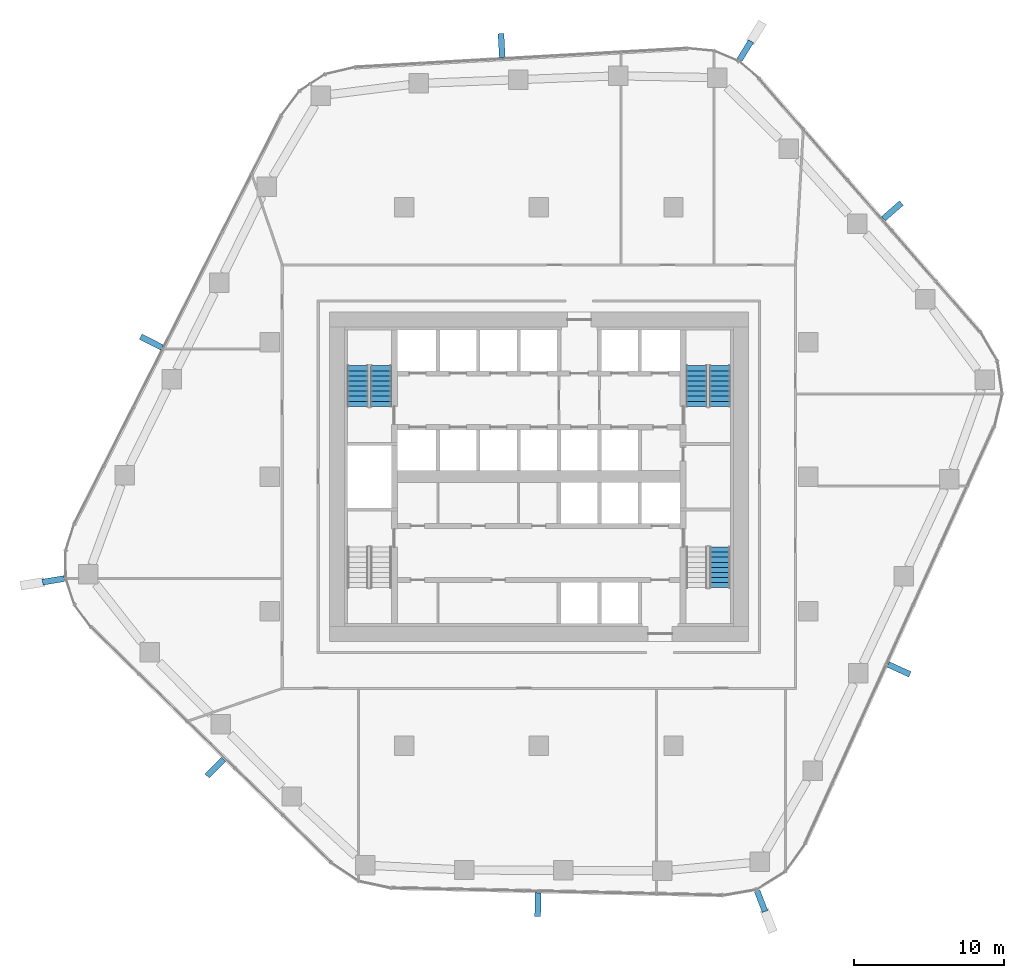
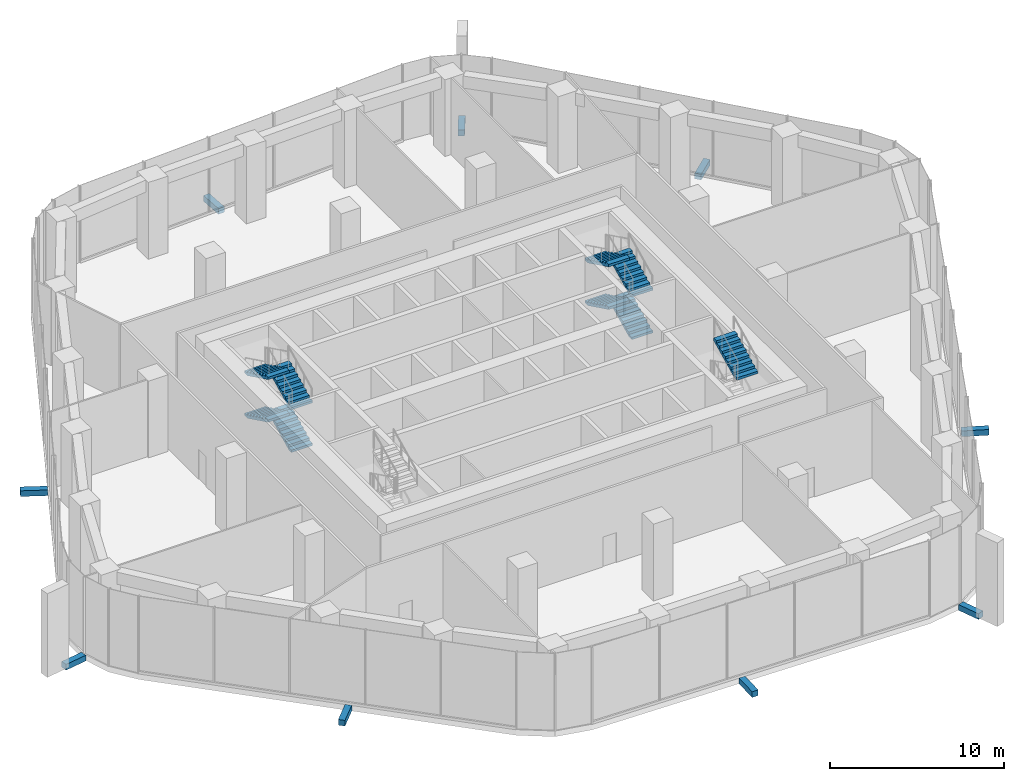
# One storey, part 14 of 18: 9 discrete accessories, 9 stair flights, 3 elements without a shape of their own.
"""IFC4 building model written with IfcOpenShell, lengths in metres."""

import ifcopenshell
import ifcopenshell.guid

model = None  # the IFC model being written
_history = None  # IfcOwnerHistory: only IFC2X3 demands one
_inside = {}  # id of a spatial element -> (the spatial element, [elements in it])
_under = {}  # id of a project, library or spatial element -> (it, [spatial elements below it])
_declared = {}  # id of a project -> (the project, [libraries it declares])
_typed = {}  # id of a type object -> (the type object, [elements of that type])
_made_of = {}  # id of a material, layer set ... -> (it, [elements and type objects made of it])


def new_model(schema):
    """Start an empty IFC model of exactly this schema.

    Asked for "IFC4X3", IfcOpenShell would pick the latest addendum, in which some entities
    have other attributes; the version numbers below select the first issue.
    IFC2X3 requires an IfcOwnerHistory on every rooted entity: one is made here for all.
    """
    global model, _history
    if schema == "IFC4X3":
        model = ifcopenshell.file(schema_version=(4, 3, 0, 0))
    else:
        model = ifcopenshell.file(schema=schema)
    _inside.clear()
    _under.clear()
    _declared.clear()
    _typed.clear()
    _made_of.clear()
    _history = None
    if model.schema == "IFC2X3":
        org = make("IfcOrganization", Name="unknown")
        user = make(
            "IfcPersonAndOrganization",
            ThePerson=make("IfcPerson", FamilyName="unknown"),
            TheOrganization=org,
        )
        app = make(
            "IfcApplication",
            ApplicationDeveloper=org,
            Version="unknown",
            ApplicationFullName="unknown",
            ApplicationIdentifier="unknown",
        )
        _history = make(
            "IfcOwnerHistory",
            OwningUser=user,
            OwningApplication=app,
            ChangeAction="ADDED",
            CreationDate=0,
        )
    return model


def make(cls, **values):
    """One entity of the class cls with the attributes given. An attribute that is None is left unset."""
    return model.create_entity(
        cls, **{name: value for name, value in values.items() if value is not None}
    )


def rooted(cls, **values):
    """An entity with a GlobalId (a new one), such as an element, a storey or a relation."""
    return make(cls, GlobalId=ifcopenshell.guid.new(), OwnerHistory=_history, **values)


def si_unit(unit_type, name, prefix=None):
    """IfcSIUnit, for example si_unit("LENGTHUNIT", "METRE", prefix="MILLI")."""
    return make("IfcSIUnit", UnitType=unit_type, Prefix=prefix, Name=name)


def assignment(units):
    """IfcUnitAssignment: the units of a project."""
    return None if units is None else make("IfcUnitAssignment", Units=units)


def point(xyz):
    """IfcCartesianPoint."""
    return None if xyz is None else make("IfcCartesianPoint", Coordinates=xyz)


def direction(xyz):
    """IfcDirection."""
    return None if xyz is None else make("IfcDirection", DirectionRatios=xyz)


def frame(location, z_axis=None, x_axis=None):
    """IfcAxis2Placement3D, a coordinate frame: its origin and axes. An axis left out is left unset."""
    return make(
        "IfcAxis2Placement3D",
        Location=point(location),
        Axis=direction(z_axis),
        RefDirection=direction(x_axis),
    )


def frame_2d(location, x_axis=None):
    """IfcAxis2Placement2D, a coordinate frame in the plane: its origin and x axis."""
    return make(
        "IfcAxis2Placement2D", Location=point(location), RefDirection=direction(x_axis)
    )


def origin():
    """The frame at (0, 0, 0) with its axes left unset."""
    return frame((0.0, 0.0, 0.0))


def origin_2d():
    """The frame at (0, 0) in the plane with its x axis left unset."""
    return frame_2d((0.0, 0.0))


def place(relative_to, where):
    """IfcLocalPlacement: puts the frame where relative to a parent placement (None: the world)."""
    return make(
        "IfcLocalPlacement", PlacementRelTo=relative_to, RelativePlacement=where
    )


def context(
    kind, dimensions, precision=None, world=None, true_north=None, identifier=None
):
    """IfcGeometricRepresentationContext, for example the 3D "Model" context."""
    return make(
        "IfcGeometricRepresentationContext",
        ContextIdentifier=identifier,
        ContextType=kind,
        CoordinateSpaceDimension=dimensions,
        Precision=precision,
        WorldCoordinateSystem=world,
        TrueNorth=true_north,
    )


def subcontext(parent, identifier, kind, view, scale=None):
    """IfcGeometricRepresentationSubContext, for example "Body" below "Model"."""
    return make(
        "IfcGeometricRepresentationSubContext",
        ContextIdentifier=identifier,
        ContextType=kind,
        ParentContext=parent,
        TargetScale=scale,
        TargetView=view,
    )


def project(units=None, contexts=None):
    """IfcProject with its units and contexts."""
    return rooted(
        "IfcProject",
        Name="project",
        RepresentationContexts=contexts,
        UnitsInContext=assignment(units),
    )


def spatial(cls, under=None, at=None, **own):
    """A site, building, storey or space (cls), placed at a placement, below another one or the project."""
    s = rooted(cls, ObjectPlacement=at, **own)
    if under is not None:
        _under.setdefault(under.id(), (under, []))[1].append(s)
    return s


def polyline(points):
    """IfcPolyline through the points."""
    return make("IfcPolyline", Points=[point(p) for p in points])


def profile(cls, at=None, kind="AREA", **sizes):
    """A parametric profile (cls). Its sizes go by their IFC names, for example OverallWidth=200.0."""
    return make(cls, ProfileType=kind, Position=at, **sizes)


def rectangle(**sizes):
    """IfcRectangleProfileDef."""
    return profile("IfcRectangleProfileDef", **sizes)


def outline(outer, holes=None, kind="AREA"):
    """IfcArbitraryClosedProfileDef: a profile drawn as a closed curve; with holes, ...WithVoids."""
    if holes is None:
        return make("IfcArbitraryClosedProfileDef", ProfileType=kind, OuterCurve=outer)
    return make(
        "IfcArbitraryProfileDefWithVoids",
        ProfileType=kind,
        OuterCurve=outer,
        InnerCurves=holes,
    )


def extrude(swept, where, along, depth):
    """IfcExtrudedAreaSolid: the profile swept, set in the frame where, extruded along a direction by depth."""
    return make(
        "IfcExtrudedAreaSolid",
        SweptArea=swept,
        Position=where,
        ExtrudedDirection=direction(along),
        Depth=depth,
    )


def shape(context_of_items, identifier, shape_type, items):
    """IfcShapeRepresentation: the items that make up one representation, for example the "Body"."""
    return make(
        "IfcShapeRepresentation",
        ContextOfItems=context_of_items,
        RepresentationIdentifier=identifier,
        RepresentationType=shape_type,
        Items=items,
    )


def material(Name=None, Category=None):
    """IfcMaterial."""
    return make("IfcMaterial", Name=Name, Category=Category)


def layer(
    of_material, thickness, ventilated=None, Name=None, Category=None, Priority=None
):
    """IfcMaterialLayer: one layer of a wall or slab, of a material (None: an air gap)."""
    return make(
        "IfcMaterialLayer",
        Material=of_material,
        LayerThickness=thickness,
        IsVentilated=ventilated,
        Name=Name,
        Category=Category,
        Priority=Priority,
    )


def layer_set(layers, Name=None):
    """IfcMaterialLayerSet."""
    return make("IfcMaterialLayerSet", MaterialLayers=layers, LayerSetName=Name)


def made_of(thing, what):
    """Note that an element or type object is made of a material, layer set ...; save() writes the relation."""
    if what is not None:
        _made_of.setdefault(what.id(), (what, []))[1].append(thing)
    return thing


def type_object(cls, material=None, **own):
    """A type object (cls), such as IfcWallType, which elements share."""
    return made_of(rooted(cls, **own), material)


def element(
    cls,
    number,
    at=None,
    inside=None,
    cuts=None,
    type_object=None,
    material=None,
    context=None,
    identifier="Body",
    shape_type=None,
    held_by="IfcProductDefinitionShape",
    body=None,
    shapes=None,
    **own,
):
    """One element of the class cls, such as IfcWall. Its Tag is "e" and its number.

    at: its placement. inside: the storey or other place that contains it. cuts: it is an
    opening in that element (IfcRelVoidsElement). A single representation is given by context,
    identifier, shape_type and body (its items); several are given by shapes. held_by: the class
    of the entity that holds the representations. save() writes the other relations.
    """
    e = rooted(cls, Tag="e%d" % number, ObjectPlacement=at, **own)
    if body is not None:
        shapes = [shape(context, identifier, shape_type, body)]
    if shapes is not None:
        e.Representation = make(held_by, Representations=shapes)
    if inside is not None:
        _inside.setdefault(inside.id(), (inside, []))[1].append(e)
    if cuts is not None:
        rooted(
            "IfcRelVoidsElement", RelatingBuildingElement=cuts, RelatedOpeningElement=e
        )
    if type_object is not None:
        _typed.setdefault(type_object.id(), (type_object, []))[1].append(e)
    return made_of(e, material)


def aggregate(whole, parts):
    """IfcRelAggregates: a whole, such as a stair, and the parts it consists of."""
    return rooted("IfcRelAggregates", RelatingObject=whole, RelatedObjects=parts)


def save(model, path):
    """Write the relations noted so far, then the file.

    IfcRelAggregates (storeys below a building ...), IfcRelContainedInSpatialStructure (elements
    in a storey), IfcRelDefinesByType, IfcRelAssociatesMaterial and IfcRelDeclares: one each for
    every whole, place, type object, material and project.
    """
    for whole, parts in _under.values():
        aggregate(whole, parts)
    for where, things in _inside.values():
        rooted(
            "IfcRelContainedInSpatialStructure",
            RelatedElements=things,
            RelatingStructure=where,
        )
    for kind, things in _typed.values():
        rooted("IfcRelDefinesByType", RelatedObjects=things, RelatingType=kind)
    for what, things in _made_of.values():
        rooted("IfcRelAssociatesMaterial", RelatedObjects=things, RelatingMaterial=what)
    for by, libraries in _declared.values():
        rooted("IfcRelDeclares", RelatingContext=by, RelatedDefinitions=libraries)
    model.write(path)


model = new_model("IFC4")

# Units and contexts
model_context = context("Model", 3, precision=1e-05, world=origin(), true_north=direction((0.0, 1.0)))
body_context = subcontext(model_context, "Body", "Model", "MODEL_VIEW")
ifc_project = project(units=[si_unit("LENGTHUNIT", "METRE"), si_unit("AREAUNIT", "SQUARE_METRE"), si_unit("VOLUMEUNIT", "CUBIC_METRE"), si_unit("PLANEANGLEUNIT", "RADIAN"), si_unit("MASSUNIT", "GRAM", prefix="KILO")], contexts=[model_context])

# Site, building, storey
site_placement = place(None, origin())
site = spatial("IfcSite", under=ifc_project, at=site_placement, CompositionType="ELEMENT")
building_placement = place(site_placement, origin())
building = spatial("IfcBuilding", under=site, at=building_placement, Name="Dongbaek Canopy Tower", CompositionType="ELEMENT")
storey_placement = place(building_placement, frame((0.0, 0.0, 139.60009765625)))
storey = spatial("IfcBuildingStorey", under=building, at=storey_placement, Name="L31", CompositionType="ELEMENT", Elevation=139.60009765625)

# Stair, stair flights
ifc_material_1 = material(Name="Concrete C40/50", Category="concrete")
stair_type = type_object("IfcStairType", Name="Core exit stair", PredefinedType="HALF_TURN_STAIR", material=ifc_material_1)
stair_1_placement = place(storey_placement, origin())
stair_1 = element("IfcStair", 1, at=stair_1_placement, inside=storey, type_object=stair_type, Name="L31 exit stair A", PredefinedType="HALF_TURN_STAIR")
ifc_material_2 = material(Name="Concrete C40/50", Category="concrete")
ifc_layer = layer(ifc_material_2, 0.14990234375)
ifc_layer_set = layer_set([ifc_layer], Name="Core stair flight 150 waist")
stair_flight_type = type_object("IfcStairFlightType", Name="Core stair flight 150 waist", PredefinedType="STRAIGHT", material=ifc_layer_set)
stair_flight_1_placement = place(storey_placement, frame((12.10009765625, 4.699951171875, 0.0), z_axis=(0.0, 0.0, 1.0), x_axis=(0.0, 1.0, 0.0)))
stair_flight_1 = element("IfcStairFlight", 2, at=stair_flight_1_placement, type_object=stair_flight_type, Name="ST-A flight 1", NumberOfRisers=9, NumberOfTreads=8, PredefinedType="STRAIGHT", RiserHeight=0.166666667, TreadLength=0.34, context=body_context, shape_type="SweptSolid", body=[
    extrude(outline(polyline([(0.0, 0.0), (0.0, 0.166748046875), (0.340087890625, 0.166748046875), (0.340087890625, 0.333251953125), (0.679931640625, 0.333251953125), (0.679931640625, 0.5), (1.02001953125, 0.5), (1.02001953125, 0.666748046875), (1.360107421875, 0.666748046875), (1.360107421875, 0.833251953125), (1.699951171875, 0.833251953125), (1.699951171875, 1.0), (2.0400390625, 1.0), (2.0400390625, 1.166748046875), (2.3798828125, 1.166748046875), (2.3798828125, 1.333251953125), (2.719970703125, 1.333251953125), (2.719970703125, 1.5), (2.719970703125, 1.16650390625), (0.340576171875, 0.0), (0.0, 0.0)])), frame((0.0, 0.699951171875, 0.0), z_axis=(0.0, -1.0, 0.0), x_axis=(1.0, 0.0, 0.0)), (0.0, 0.0, 1.0), 1.39990234375),
])
stair_flight_2_placement = place(storey_placement, frame((10.550048828125, 7.419921875, 1.5), z_axis=(0.0, 0.0, 1.0), x_axis=(0.0, -1.0, 0.0)))
stair_flight_2 = element("IfcStairFlight", 3, at=stair_flight_2_placement, type_object=stair_flight_type, Name="ST-A flight 2", NumberOfRisers=9, NumberOfTreads=8, PredefinedType="STRAIGHT", RiserHeight=0.166666667, TreadLength=0.34, context=body_context, shape_type="SweptSolid", body=[
    extrude(outline(polyline([(0.0, 0.0), (0.0, 0.166748046875), (0.340087890625, 0.166748046875), (0.340087890625, 0.333251953125), (0.679931640625, 0.333251953125), (0.679931640625, 0.5), (1.02001953125, 0.5), (1.02001953125, 0.666748046875), (1.360107421875, 0.666748046875), (1.360107421875, 0.833251953125), (1.699951171875, 0.833251953125), (1.699951171875, 1.0), (2.0400390625, 1.0), (2.0400390625, 1.166748046875), (2.3798828125, 1.166748046875), (2.3798828125, 1.333251953125), (2.719970703125, 1.333251953125), (2.719970703125, 1.5), (2.719970703125, 1.16650390625), (0.340576171875, 0.0), (0.0, 0.0)])), frame((0.0, 0.699951171875, 0.0), z_axis=(0.0, -1.0, 0.0), x_axis=(1.0, 0.0, 0.0)), (0.0, 0.0, 1.0), 1.39990234375),
])
stair_flight_3_placement = place(storey_placement, frame((12.10009765625, 4.699951171875, 3.0), z_axis=(0.0, 0.0, 1.0), x_axis=(0.0, 1.0, 0.0)))
stair_flight_3 = element("IfcStairFlight", 4, at=stair_flight_3_placement, type_object=stair_flight_type, Name="ST-A flight 3", NumberOfRisers=9, NumberOfTreads=8, PredefinedType="STRAIGHT", RiserHeight=0.166666667, TreadLength=0.34, context=body_context, shape_type="SweptSolid", body=[
    extrude(outline(polyline([(0.0, 0.0), (0.0, 0.166748046875), (0.340087890625, 0.166748046875), (0.340087890625, 0.333251953125), (0.679931640625, 0.333251953125), (0.679931640625, 0.5), (1.02001953125, 0.5), (1.02001953125, 0.666748046875), (1.360107421875, 0.666748046875), (1.360107421875, 0.833251953125), (1.699951171875, 0.833251953125), (1.699951171875, 1.0), (2.0400390625, 1.0), (2.0400390625, 1.166748046875), (2.3798828125, 1.166748046875), (2.3798828125, 1.333251953125), (2.719970703125, 1.333251953125), (2.719970703125, 1.5), (2.719970703125, 1.16650390625), (0.340576171875, 0.0), (0.0, 0.0)])), frame((0.0, 0.699951171875, 0.0), z_axis=(0.0, -1.0, 0.0), x_axis=(1.0, 0.0, 0.0)), (0.0, 0.0, 1.0), 1.39990234375),
])
stair_flight_4_placement = place(storey_placement, frame((10.550048828125, 7.419921875, 4.5), z_axis=(0.0, 0.0, 1.0), x_axis=(0.0, -1.0, 0.0)))
stair_flight_4 = element("IfcStairFlight", 5, at=stair_flight_4_placement, type_object=stair_flight_type, Name="ST-A flight 4", NumberOfRisers=9, NumberOfTreads=8, PredefinedType="STRAIGHT", RiserHeight=0.166666667, TreadLength=0.34, context=body_context, shape_type="SweptSolid", body=[
    extrude(outline(polyline([(0.0, 0.0), (0.0, 0.166748046875), (0.340087890625, 0.166748046875), (0.340087890625, 0.333251953125), (0.679931640625, 0.333251953125), (0.679931640625, 0.5), (1.02001953125, 0.5), (1.02001953125, 0.666748046875), (1.360107421875, 0.666748046875), (1.360107421875, 0.833251953125), (1.699951171875, 0.833251953125), (1.699951171875, 1.0), (2.0400390625, 1.0), (2.0400390625, 1.166748046875), (2.3798828125, 1.166748046875), (2.3798828125, 1.333251953125), (2.719970703125, 1.333251953125), (2.719970703125, 1.5), (2.719970703125, 1.16650390625), (0.340576171875, 0.0), (0.0, 0.0)])), frame((0.0, 0.699951171875, 0.0), z_axis=(0.0, -1.0, 0.0), x_axis=(1.0, 0.0, 0.0)), (0.0, 0.0, 1.0), 1.39990234375),
])
aggregate(stair_1, [stair_flight_1, stair_flight_2, stair_flight_3, stair_flight_4])

stair_2_placement = place(storey_placement, origin())
stair_2 = element("IfcStair", 6, at=stair_2_placement, inside=storey, type_object=stair_type, Name="L31 exit stair C", PredefinedType="HALF_TURN_STAIR")
stair_flight_5_placement = place(storey_placement, frame((-10.550048828125, 4.699951171875, 0.0), z_axis=(0.0, 0.0, 1.0), x_axis=(0.0, 1.0, 0.0)))
stair_flight_5 = element("IfcStairFlight", 7, at=stair_flight_5_placement, type_object=stair_flight_type, Name="ST-C flight 1", NumberOfRisers=9, NumberOfTreads=8, PredefinedType="STRAIGHT", RiserHeight=0.166666667, TreadLength=0.34, context=body_context, shape_type="SweptSolid", body=[
    extrude(outline(polyline([(0.0, 0.0), (0.0, 0.166748046875), (0.340087890625, 0.166748046875), (0.340087890625, 0.333251953125), (0.679931640625, 0.333251953125), (0.679931640625, 0.5), (1.02001953125, 0.5), (1.02001953125, 0.666748046875), (1.360107421875, 0.666748046875), (1.360107421875, 0.833251953125), (1.699951171875, 0.833251953125), (1.699951171875, 1.0), (2.0400390625, 1.0), (2.0400390625, 1.166748046875), (2.3798828125, 1.166748046875), (2.3798828125, 1.333251953125), (2.719970703125, 1.333251953125), (2.719970703125, 1.5), (2.719970703125, 1.16650390625), (0.340576171875, 0.0), (0.0, 0.0)])), frame((0.0, 0.699951171875, 0.0), z_axis=(0.0, -1.0, 0.0), x_axis=(1.0, 0.0, 0.0)), (0.0, 0.0, 1.0), 1.39990234375),
])
stair_flight_6_placement = place(storey_placement, frame((-12.10009765625, 7.419921875, 1.5), z_axis=(0.0, 0.0, 1.0), x_axis=(0.0, -1.0, 0.0)))
stair_flight_6 = element("IfcStairFlight", 8, at=stair_flight_6_placement, type_object=stair_flight_type, Name="ST-C flight 2", NumberOfRisers=9, NumberOfTreads=8, PredefinedType="STRAIGHT", RiserHeight=0.166666667, TreadLength=0.34, context=body_context, shape_type="SweptSolid", body=[
    extrude(outline(polyline([(0.0, 0.0), (0.0, 0.166748046875), (0.340087890625, 0.166748046875), (0.340087890625, 0.333251953125), (0.679931640625, 0.333251953125), (0.679931640625, 0.5), (1.02001953125, 0.5), (1.02001953125, 0.666748046875), (1.360107421875, 0.666748046875), (1.360107421875, 0.833251953125), (1.699951171875, 0.833251953125), (1.699951171875, 1.0), (2.0400390625, 1.0), (2.0400390625, 1.166748046875), (2.3798828125, 1.166748046875), (2.3798828125, 1.333251953125), (2.719970703125, 1.333251953125), (2.719970703125, 1.5), (2.719970703125, 1.16650390625), (0.340576171875, 0.0), (0.0, 0.0)])), frame((0.0, 0.699951171875, 0.0), z_axis=(0.0, -1.0, 0.0), x_axis=(1.0, 0.0, 0.0)), (0.0, 0.0, 1.0), 1.39990234375),
])
stair_flight_7_placement = place(storey_placement, frame((-10.550048828125, 4.699951171875, 3.0), z_axis=(0.0, 0.0, 1.0), x_axis=(0.0, 1.0, 0.0)))
stair_flight_7 = element("IfcStairFlight", 9, at=stair_flight_7_placement, type_object=stair_flight_type, Name="ST-C flight 3", NumberOfRisers=9, NumberOfTreads=8, PredefinedType="STRAIGHT", RiserHeight=0.166666667, TreadLength=0.34, context=body_context, shape_type="SweptSolid", body=[
    extrude(outline(polyline([(0.0, 0.0), (0.0, 0.166748046875), (0.340087890625, 0.166748046875), (0.340087890625, 0.333251953125), (0.679931640625, 0.333251953125), (0.679931640625, 0.5), (1.02001953125, 0.5), (1.02001953125, 0.666748046875), (1.360107421875, 0.666748046875), (1.360107421875, 0.833251953125), (1.699951171875, 0.833251953125), (1.699951171875, 1.0), (2.0400390625, 1.0), (2.0400390625, 1.166748046875), (2.3798828125, 1.166748046875), (2.3798828125, 1.333251953125), (2.719970703125, 1.333251953125), (2.719970703125, 1.5), (2.719970703125, 1.16650390625), (0.340576171875, 0.0), (0.0, 0.0)])), frame((0.0, 0.699951171875, 0.0), z_axis=(0.0, -1.0, 0.0), x_axis=(1.0, 0.0, 0.0)), (0.0, 0.0, 1.0), 1.39990234375),
])
stair_flight_8_placement = place(storey_placement, frame((-12.10009765625, 7.419921875, 4.5), z_axis=(0.0, 0.0, 1.0), x_axis=(0.0, -1.0, 0.0)))
stair_flight_8 = element("IfcStairFlight", 10, at=stair_flight_8_placement, type_object=stair_flight_type, Name="ST-C flight 4", NumberOfRisers=9, NumberOfTreads=8, PredefinedType="STRAIGHT", RiserHeight=0.166666667, TreadLength=0.34, context=body_context, shape_type="SweptSolid", body=[
    extrude(outline(polyline([(0.0, 0.0), (0.0, 0.166748046875), (0.340087890625, 0.166748046875), (0.340087890625, 0.333251953125), (0.679931640625, 0.333251953125), (0.679931640625, 0.5), (1.02001953125, 0.5), (1.02001953125, 0.666748046875), (1.360107421875, 0.666748046875), (1.360107421875, 0.833251953125), (1.699951171875, 0.833251953125), (1.699951171875, 1.0), (2.0400390625, 1.0), (2.0400390625, 1.166748046875), (2.3798828125, 1.166748046875), (2.3798828125, 1.333251953125), (2.719970703125, 1.333251953125), (2.719970703125, 1.5), (2.719970703125, 1.16650390625), (0.340576171875, 0.0), (0.0, 0.0)])), frame((0.0, 0.699951171875, 0.0), z_axis=(0.0, -1.0, 0.0), x_axis=(1.0, 0.0, 0.0)), (0.0, 0.0, 1.0), 1.39990234375),
])
aggregate(stair_2, [stair_flight_5, stair_flight_6, stair_flight_7, stair_flight_8])

# Stair, stair flight
stair_3_placement = place(storey_placement, origin())
stair_3 = element("IfcStair", 11, at=stair_3_placement, inside=storey, type_object=stair_type, Name="L31 exit stair B", PredefinedType="HALF_TURN_STAIR")
stair_flight_9_placement = place(storey_placement, frame((12.10009765625, -7.419921875, 4.5), z_axis=(0.0, 0.0, 1.0), x_axis=(0.0, 1.0, 0.0)))
stair_flight_9 = element("IfcStairFlight", 12, at=stair_flight_9_placement, type_object=stair_flight_type, Name="ST-B flight 4", NumberOfRisers=9, NumberOfTreads=8, PredefinedType="STRAIGHT", RiserHeight=0.166666667, TreadLength=0.34, context=body_context, shape_type="SweptSolid", body=[
    extrude(outline(polyline([(0.0, 0.0), (0.0, 0.166748046875), (0.340087890625, 0.166748046875), (0.340087890625, 0.333251953125), (0.679931640625, 0.333251953125), (0.679931640625, 0.5), (1.02001953125, 0.5), (1.02001953125, 0.666748046875), (1.360107421875, 0.666748046875), (1.360107421875, 0.833251953125), (1.699951171875, 0.833251953125), (1.699951171875, 1.0), (2.0400390625, 1.0), (2.0400390625, 1.166748046875), (2.3798828125, 1.166748046875), (2.3798828125, 1.333251953125), (2.719970703125, 1.333251953125), (2.719970703125, 1.5), (2.719970703125, 1.16650390625), (0.340576171875, 0.0), (0.0, 0.0)])), frame((0.0, 0.699951171875, 0.0), z_axis=(0.0, -1.0, 0.0), x_axis=(1.0, 0.0, 0.0)), (0.0, 0.0, 1.0), 1.39990234375),
])
aggregate(stair_3, [stair_flight_9])

# Discrete accessories
ifc_material_3 = material(Name="Galvanised steel S355 bracket", Category="steel")
discrete_accessory_type = type_object("IfcDiscreteAccessoryType", Name="Crease fin bracket BR3 400", PredefinedType="BRACKET", material=ifc_material_3)
discrete_accessory_1_placement = place(storey_placement, frame((23.63720703125, 17.77197265625, -0.400146484375), z_axis=(0.0, 0.0, 1.0), x_axis=(0.753339618095, 0.657631674882, 0.0)))
element("IfcDiscreteAccessory", 13, at=discrete_accessory_1_placement, inside=storey, type_object=discrete_accessory_type, Name="Crease fin bracket L31 F0", PredefinedType="BRACKET", context=body_context, shape_type="SweptSolid", body=[
    extrude(rectangle(XDim=1.592529296875, YDim=0.39990234375, at=origin_2d()), origin(), (0.0, 0.0, 1.0), 0.39990234375),
])
discrete_accessory_2_placement = place(storey_placement, frame((-2.490966796875, 28.82568359375, -0.400146484375), z_axis=(0.0, 0.0, 1.0), x_axis=(-0.056495881455, 0.998402832217, 0.0)))
element("IfcDiscreteAccessory", 14, at=discrete_accessory_2_placement, inside=storey, type_object=discrete_accessory_type, Name="Crease fin bracket L31 F1", PredefinedType="BRACKET", context=body_context, shape_type="SweptSolid", body=[
    extrude(rectangle(XDim=1.5888671875, YDim=0.39990234375, at=origin_2d()), origin(), (0.0, 0.0, 1.0), 0.39990234375),
])
discrete_accessory_3_placement = place(storey_placement, frame((-25.90576171875, 8.998046875, -0.400146484375), z_axis=(0.0, 0.0, 1.0), x_axis=(-0.892010635412, 0.452014409407, 0.0)))
element("IfcDiscreteAccessory", 15, at=discrete_accessory_3_placement, inside=storey, type_object=discrete_accessory_type, Name="Crease fin bracket L31 F2", PredefinedType="BRACKET", context=body_context, shape_type="SweptSolid", body=[
    extrude(rectangle(XDim=1.591064453125, YDim=0.39990234375, at=origin_2d()), origin(), (0.0, 0.0, 1.0), 0.39990234375),
])
discrete_accessory_4_placement = place(storey_placement, frame((-21.632080078125, -19.448486328125, -0.400146484375), z_axis=(0.0, 0.0, 1.0), x_axis=(-0.700550656989, -0.713602674457, 0.0)))
element("IfcDiscreteAccessory", 16, at=discrete_accessory_4_placement, inside=storey, type_object=discrete_accessory_type, Name="Crease fin bracket L31 F3", PredefinedType="BRACKET", context=body_context, shape_type="SweptSolid", body=[
    extrude(rectangle(XDim=1.573974609375, YDim=0.39990234375, at=origin_2d()), origin(), (0.0, 0.0, 1.0), 0.39990234375),
])
discrete_accessory_5_placement = place(storey_placement, frame((-0.0634765625, -28.6025390625, -0.400146484375), z_axis=(0.0, 0.0, 1.0), x_axis=(-0.02214292767, -0.999754815319, 0.0)))
element("IfcDiscreteAccessory", 17, at=discrete_accessory_5_placement, inside=storey, type_object=discrete_accessory_type, Name="Crease fin bracket L31 F4", PredefinedType="BRACKET", context=body_context, shape_type="SweptSolid", body=[
    extrude(rectangle(XDim=1.577392578125, YDim=0.39990234375, at=origin_2d()), origin(), (0.0, 0.0, 1.0), 0.39990234375),
])
discrete_accessory_6_placement = place(storey_placement, frame((24.07568359375, -12.88134765625, -0.400146484375), z_axis=(0.0, 0.0, 1.0), x_axis=(0.91081988087, -0.412804002659, 0.0)))
element("IfcDiscreteAccessory", 18, at=discrete_accessory_6_placement, inside=storey, type_object=discrete_accessory_type, Name="Crease fin bracket L31 F5", PredefinedType="BRACKET", context=body_context, shape_type="SweptSolid", body=[
    extrude(rectangle(XDim=1.59765625, YDim=0.39990234375, at=origin_2d()), origin(), (0.0, 0.0, 1.0), 0.39990234375),
])
for number, where, z_axis, x_axis, name in (
    (19, (13.7958984375, 28.485107421875, -0.400146484375), (0.0, 0.0, 1.0), (0.522608682556, 0.852572674273, 0.0), "Corner fin bracket L31 K1"),
    (20, (-32.452392578125, -6.931396484375, -0.400146484375), (0.0, 0.0, 1.0), (-0.986776906936, -0.162084348219, 0.0), "Corner fin bracket L31 K3"),
    (21, (14.8544921875, -28.37548828125, -0.400146484375), (0.0, 0.0, 1.0), (0.358809478259, -0.933410819688, 0.0), "Corner fin bracket L31 K5"),
):
    element("IfcDiscreteAccessory", number, at=place(storey_placement, frame(where, z_axis=z_axis, x_axis=x_axis)), inside=storey, type_object=discrete_accessory_type, Name=name, PredefinedType="BRACKET", context=body_context, shape_type="SweptSolid", body=[
        extrude(rectangle(XDim=1.469970703125, YDim=0.39990234375, at=origin_2d()), origin(), (0.0, 0.0, 1.0), 0.39990234375),
    ])

save(model, "model.ifc")
